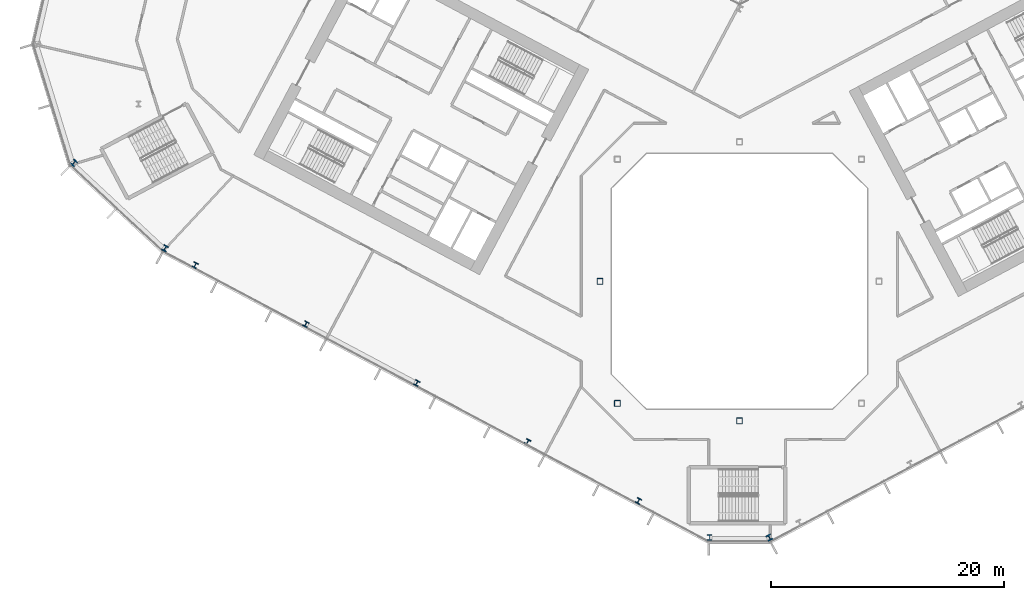
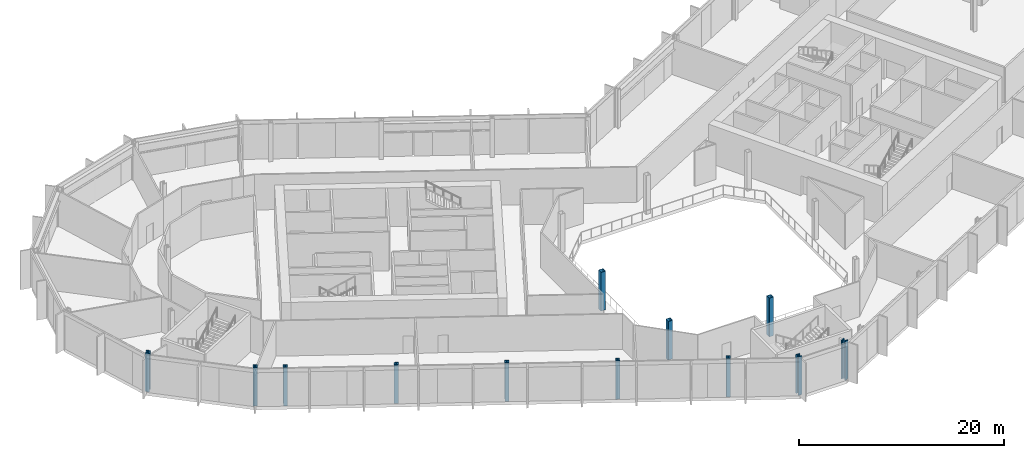
# One storey, part 1 of 30: 12 columns.
"""IFC4 building model written with IfcOpenShell, lengths in metres."""

from ifc_helpers import new_model, si_unit, direction, frame, origin, origin_2d, place, context, subcontext, project, spatial, hollow_rectangle, i_section, extrude, material, material_profile, profile_set, type_object, element, save


model = new_model("IFC4")

# Units and contexts
model_context = context("Model", 3, precision=1e-05, world=origin(), true_north=direction((0.0, 1.0)))
body_context = subcontext(model_context, "Body", "Model", "MODEL_VIEW")
ifc_project = project(units=[si_unit("LENGTHUNIT", "METRE"), si_unit("AREAUNIT", "SQUARE_METRE"), si_unit("VOLUMEUNIT", "CUBIC_METRE"), si_unit("PLANEANGLEUNIT", "RADIAN"), si_unit("MASSUNIT", "GRAM", prefix="KILO")], contexts=[model_context])

# Site, building, storey
site_placement = place(None, origin())
site = spatial("IfcSite", under=ifc_project, at=site_placement, CompositionType="ELEMENT")
building_placement = place(site_placement, origin())
building = spatial("IfcBuilding", under=site, at=building_placement, Name="Cormorant Relay Tower", CompositionType="ELEMENT")
storey_placement = place(building_placement, frame((0.0, 0.0, 84.60009765625)))
storey = spatial("IfcBuildingStorey", under=building, at=storey_placement, Name="L16", CompositionType="ELEMENT", Elevation=84.60009765625)

# Columns
ifc_material_1 = material(Name="Steel ASTM A500 Grade C (Fy 345 MPa)", Category="steel")
ifc_material_profile_1 = material_profile(ifc_material_1, hollow_rectangle(XDim=0.508056640625, YDim=0.508056640625, WallThickness=0.020751953125, InnerFilletRadius=0.01025390625, OuterFilletRadius=0.031005859375, at=origin_2d()), Name="HSS508x508x21")
ifc_profile_set_1 = profile_set([ifc_material_profile_1], Name="Steel ASTM A500 Grade C (Fy 345 MPa)")
column_type_1 = type_object("IfcColumnType", Name="Column HSS508x508x21", PredefinedType="COLUMN", material=ifc_profile_set_1)
for number, where, z_axis, x_axis, name in (
    (1, (0.0, -12.0, 0.0), (0.0, 0.0, 1.0), (1.0, 0.0, 0.0), "Column L16-007"),
    (2, (-10.5, -10.5, 0.0), (0.0, 0.0, 1.0), (1.0, 0.0, 0.0), "Column L16-009"),
    (3, (-12.0, 0.0, 0.0), (0.0, 0.0, 1.0), (1.0, 0.0, 0.0), "Column L16-015"),
):
    element("IfcColumn", number, at=place(storey_placement, frame(where, z_axis=z_axis, x_axis=x_axis)), inside=storey, type_object=column_type_1, Name=name, PredefinedType="COLUMN", context=body_context, shape_type="SweptSolid", body=[
        extrude(hollow_rectangle(XDim=0.508056640625, YDim=0.508056640625, WallThickness=0.020751953125, InnerFilletRadius=0.01025390625, OuterFilletRadius=0.031005859375, at=origin_2d()), origin(), (0.0, 0.0, 1.0), 4.599853515625),
    ])
ifc_material_2 = material(Name="Steel ASTM A992 (Fy 345 MPa)", Category="steel")
ifc_material_profile_2 = material_profile(ifc_material_2, i_section(OverallWidth=0.42431640625, OverallDepth=0.47509765625, WebThickness=0.0478515625, FlangeThickness=0.0771484375, FilletRadius=0.014892578125, at=origin_2d()), Name="W360x634")
ifc_profile_set_2 = profile_set([ifc_material_profile_2], Name="Steel ASTM A992 (Fy 345 MPa)")
column_type_2 = type_object("IfcColumnType", Name="Column W360x634", PredefinedType="COLUMN", material=ifc_profile_set_2)
for number, where, z_axis, x_axis, name in (
    (4, (-8.68701171875, -18.89306640625, 0.0), (0.0, 0.0, 1.0), (0.882947592859, -0.469471562786, 0.0), "Column L16-004"),
    (5, (-18.222900390625, -13.822998046875, 0.0), (0.0, 0.0, 1.0), (0.882947592859, -0.469471562786, 0.0), "Column L16-006"),
    (6, (-27.758056640625, -8.7529296875, 0.0), (0.0, 0.0, 1.0), (0.882947592859, -0.469471562786, 0.0), "Column L16-011"),
    (7, (-37.2939453125, -3.681884765625, 0.0), (0.0, 0.0, 1.0), (0.882947592859, -0.469471562786, 0.0), "Column L16-013"),
    (8, (-46.830078125, 1.387939453125, 0.0), (0.0, 0.0, 1.0), (0.882947592859, -0.469471562786, 0.0), "Column L16-017"),
):
    element("IfcColumn", number, at=place(storey_placement, frame(where, z_axis=z_axis, x_axis=x_axis)), inside=storey, type_object=column_type_2, Name=name, PredefinedType="COLUMN", context=body_context, shape_type="SweptSolid", body=[
        extrude(i_section(OverallWidth=0.42431640625, OverallDepth=0.47509765625, WebThickness=0.0478515625, FlangeThickness=0.0771484375, FilletRadius=0.014892578125, at=origin_2d()), origin(), (0.0, 0.0, 1.0), 4.599853515625),
    ])
ifc_material_3 = material(Name="Steel ASTM A992 (Fy 345 MPa)", Category="steel")
ifc_material_profile_3 = material_profile(ifc_material_3, i_section(OverallWidth=0.43701171875, OverallDepth=0.51318359375, WebThickness=0.060546875, FlangeThickness=0.096923828125, FilletRadius=0.015380859375, at=origin_2d()), Name="W360x818")
ifc_profile_set_3 = profile_set([ifc_material_profile_3], Name="Steel ASTM A992 (Fy 345 MPa)")
column_type_3 = type_object("IfcColumnType", Name="Column W360x818", PredefinedType="COLUMN", material=ifc_profile_set_3)
for number, where, z_axis, x_axis, name in (
    (9, (-2.56689453125, -22.0458984375, 0.0), (0.0, 0.0, 1.0), (1.0, 0.0, 0.0), "Column L16-001"),
    (10, (2.56689453125, -22.0458984375, 0.0), (0.0, 0.0, 1.0), (0.882947592859, 0.469471562786, 0.0), "Column L16-002"),
    (11, (-49.412109375, 2.8369140625, 0.0), (0.0, 0.0, 1.0), (0.882947592859, -0.469471562786, 0.0), "Column L16-018"),
    (12, (-57.2451171875, 10.18310546875, 0.0), (0.0, 0.0, 1.0), (0.731353701619, -0.681998360062, 0.0), "Column L16-021"),
):
    element("IfcColumn", number, at=place(storey_placement, frame(where, z_axis=z_axis, x_axis=x_axis)), inside=storey, type_object=column_type_3, Name=name, PredefinedType="COLUMN", context=body_context, shape_type="SweptSolid", body=[
        extrude(i_section(OverallWidth=0.43701171875, OverallDepth=0.51318359375, WebThickness=0.060546875, FlangeThickness=0.096923828125, FilletRadius=0.015380859375, at=origin_2d()), origin(), (0.0, 0.0, 1.0), 4.599853515625),
    ])

save(model, "model.ifc")
